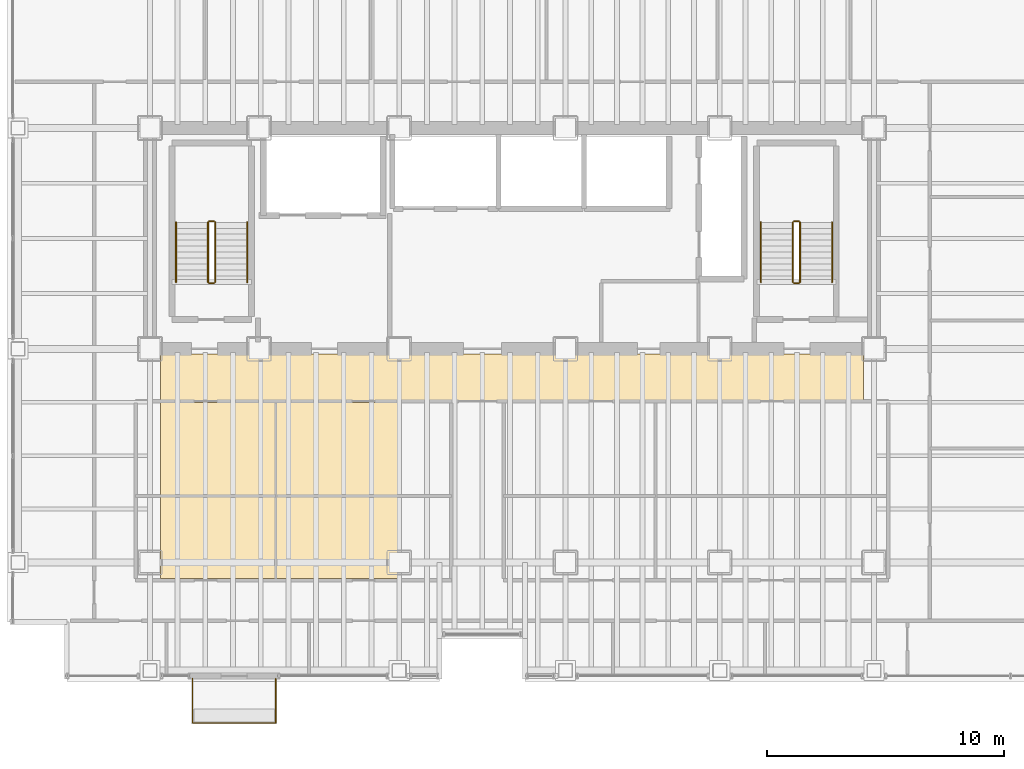
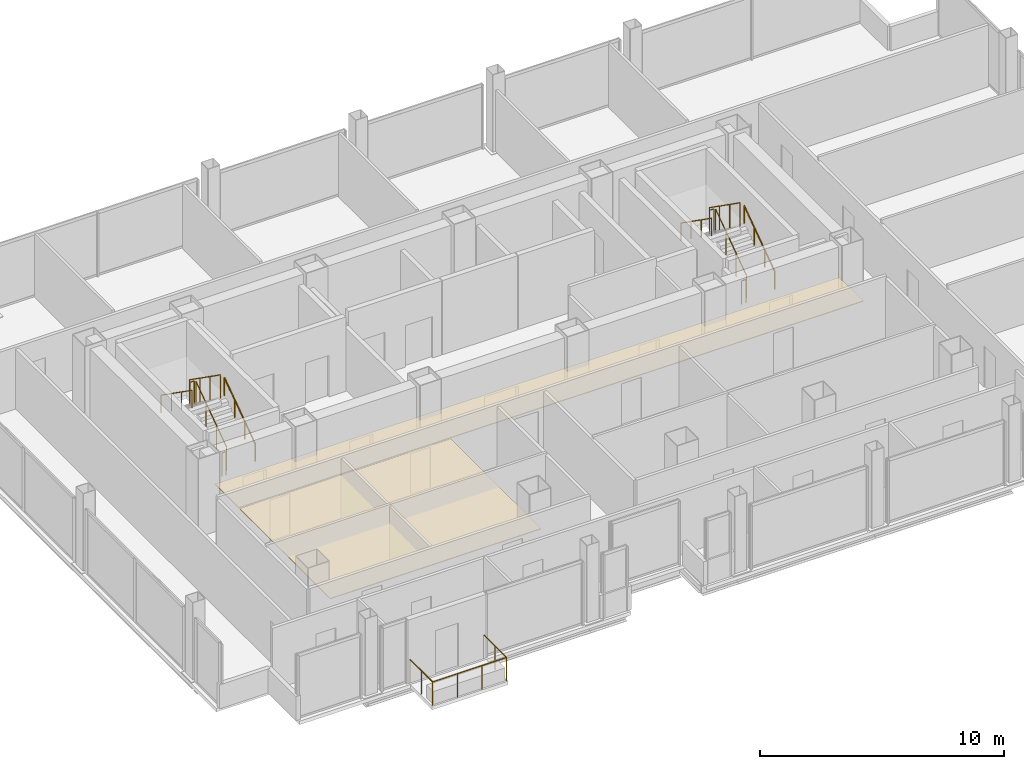
# One storey, part 20 of 20: 13 railings, 2 coverings.
"""IFC4 building model written with IfcOpenShell, lengths in metres."""

from ifc_helpers import new_model, si_unit, direction, frame, origin, origin_2d, place, context, subcontext, project, spatial, polyline, circle, outline, extrude, material, layer, layer_set, type_object, element, save


model = new_model("IFC4")

# Units and contexts
model_context = context("Model", 3, precision=1e-05, world=origin(), true_north=direction((0.0, 1.0)))
body_context = subcontext(model_context, "Body", "Model", "MODEL_VIEW")
ifc_project = project(units=[si_unit("LENGTHUNIT", "METRE"), si_unit("AREAUNIT", "SQUARE_METRE"), si_unit("VOLUMEUNIT", "CUBIC_METRE"), si_unit("PLANEANGLEUNIT", "RADIAN"), si_unit("MASSUNIT", "GRAM", prefix="KILO")], contexts=[model_context])

# Site, building, storey
site_placement = place(None, origin())
site = spatial("IfcSite", under=ifc_project, at=site_placement, CompositionType="ELEMENT")
building_placement = place(site_placement, origin())
building = spatial("IfcBuilding", under=site, at=building_placement, Name="Noeulbin Bourse Tower", CompositionType="ELEMENT")
storey_placement = place(building_placement, frame((0.0, 0.0, 73.300048828125)))
storey = spatial("IfcBuildingStorey", under=building, at=storey_placement, Name="L18", CompositionType="ELEMENT", Elevation=73.300048828125)

# Coverings
ifc_material_1 = material(Name="Perforated Mineral-Fibre Acoustic Tile")
ifc_layer_1 = layer(ifc_material_1, 0.0400390625)
ifc_layer_set_1 = layer_set([ifc_layer_1], Name="Perforated Mineral-Fibre Acoustic Tile")
covering_type = type_object("IfcCoveringType", Name="COV-CEIL-ACT", PredefinedType="CEILING", material=ifc_layer_set_1)
covering_1_placement = place(storey_placement, frame((0.0, 0.0, 2.10986328125)))
element("IfcCovering", 1, at=covering_1_placement, inside=storey, type_object=covering_type, Name="Corridor Suspended Ceiling L18", PredefinedType="CEILING", context=body_context, shape_type="SweptSolid", body=[
    extrude(outline(polyline([(13.949951171875, 26.820068359375), (43.550048828125, 26.820068359375), (43.550048828125, 28.780029296875), (13.949951171875, 28.780029296875), (13.949951171875, 26.820068359375)])), origin(), (0.0, 0.0, 1.0), 0.0400390625),
])
covering_2_placement = place(storey_placement, frame((0.0, 0.0, 2.10986328125)))
element("IfcCovering", 2, at=covering_2_placement, inside=storey, type_object=covering_type, Name="Trading Suite Acoustic Ceiling L18", PredefinedType="CEILING", context=body_context, shape_type="SweptSolid", body=[
    extrude(outline(polyline([(13.949951171875, 19.320068359375), (23.949951171875, 19.320068359375), (23.949951171875, 26.75), (13.949951171875, 26.75), (13.949951171875, 19.320068359375)])), origin(), (0.0, 0.0, 1.0), 0.0400390625),
])

# Railings
ifc_material_2 = material(Name="Laminated SentryGlas and Stainless Steel 316", Category="steel")
ifc_layer_2 = layer(ifc_material_2, 0.06005859375)
ifc_layer_set_2 = layer_set([ifc_layer_2], Name="Laminated SentryGlas and Stainless Steel 316")
railing_type_1 = type_object("IfcRailingType", Name="RLG-BAL-1200", PredefinedType="BALUSTRADE", material=ifc_layer_set_2)
railing_1_placement = place(storey_placement, frame((15.300048828125, 15.1201171875, 0.0)))
element("IfcRailing", 3, at=railing_1_placement, inside=storey, type_object=railing_type_1, Name="Tree-Balcony Glazed Balustrade L18", PredefinedType="BALUSTRADE", context=body_context, shape_type="SweptSolid", body=[
    extrude(circle(Radius=0.02392578125, at=origin_2d()), frame((0.0, 0.0, 1.17578125), z_axis=(0.0, -1.0, 0.0), x_axis=(1.0, 0.0, 0.0)), (0.0, 0.0, 1.0), 1.8701171875),
    extrude(circle(Radius=0.02392578125, at=origin_2d()), frame((0.0, -1.8701171875, 1.17578125), z_axis=(1.0, 0.0, 0.0), x_axis=(0.0, 1.0, 0.0)), (0.0, 0.0, 1.0), 3.5),
    extrude(circle(Radius=0.02392578125, at=origin_2d()), frame((3.5, -1.8701171875, 1.17578125), z_axis=(0.0, 1.0, 0.0), x_axis=(-1.0, 0.0, 0.0)), (0.0, 0.0, 1.0), 1.8701171875),
    extrude(circle(Radius=0.02099609375, at=origin_2d()), origin(), (0.0, 0.0, 1.0), 1.15185546875),
    extrude(circle(Radius=0.02099609375, at=origin_2d()), frame((0.0, -0.93505859375, 0.0)), (0.0, 0.0, 1.0), 1.15185546875),
    extrude(circle(Radius=0.02099609375, at=origin_2d()), frame((0.0, -1.8701171875, 0.0)), (0.0, 0.0, 1.0), 1.15185546875),
    extrude(circle(Radius=0.02099609375, at=origin_2d()), frame((1.166748046875, -1.8701171875, 0.0)), (0.0, 0.0, 1.0), 1.15185546875),
    extrude(circle(Radius=0.02099609375, at=origin_2d()), frame((2.333251953125, -1.8701171875, 0.0)), (0.0, 0.0, 1.0), 1.15185546875),
    extrude(circle(Radius=0.02099609375, at=origin_2d()), frame((3.5, -1.8701171875, 0.0)), (0.0, 0.0, 1.0), 1.15185546875),
    extrude(circle(Radius=0.02099609375, at=origin_2d()), frame((3.5, -0.93505859375, 0.0)), (0.0, 0.0, 1.0), 1.15185546875),
    extrude(circle(Radius=0.02099609375, at=origin_2d()), frame((3.5, 0.0, 0.0)), (0.0, 0.0, 1.0), 1.15185546875),
])
ifc_material_3 = material(Name="Painted Tubular Steel S355", Category="steel")
ifc_layer_3 = layer(ifc_material_3, 0.048095703125)
ifc_layer_set_3 = layer_set([ifc_layer_3], Name="Painted Tubular Steel S355")
railing_type_2 = type_object("IfcRailingType", Name="RLG-STR-GRD", PredefinedType="GUARDRAIL", material=ifc_layer_set_3)
railing_2_placement = place(storey_placement, frame((16.25, 31.81005859375, 0.17724609375)))
element("IfcRailing", 4, at=railing_2_placement, inside=storey, type_object=railing_type_2, Name="L18 ST-1 stair guard 1", PredefinedType="GUARDRAIL", context=body_context, shape_type="SweptSolid", body=[
    extrude(circle(Radius=0.02392578125, at=origin_2d()), frame((0.0, 0.0, 1.17578125), z_axis=(0.0, 0.817904474719, 0.575354039036), x_axis=(-1.0, 0.0, 0.0)), (0.0, 0.0, 1.0), 3.0810546875),
    extrude(circle(Radius=0.02099609375, at=origin_2d()), origin(), (0.0, 0.0, 1.0), 1.15185546875),
    extrude(circle(Radius=0.02099609375, at=origin_2d()), frame((0.0, 0.840087890625, 0.5908203125)), (0.0, 0.0, 1.0), 1.15185546875),
    extrude(circle(Radius=0.02099609375, at=origin_2d()), frame((0.0, 1.679931640625, 1.181884765625)), (0.0, 0.0, 1.0), 1.15185546875),
    extrude(circle(Radius=0.02099609375, at=origin_2d()), frame((0.0, 2.52001953125, 1.772705078125)), (0.0, 0.0, 1.0), 1.15185546875),
])
railing_3_placement = place(storey_placement, frame((16.199951171875, 34.3798828125, 1.949951171875)))
element("IfcRailing", 5, at=railing_3_placement, inside=storey, type_object=railing_type_2, Name="L18 ST-1 stair guard 2", PredefinedType="GUARDRAIL", context=body_context, shape_type="SweptSolid", body=[
    extrude(circle(Radius=0.02392578125, at=origin_2d()), frame((0.0, 0.0, 1.17578125), z_axis=(-1.0, 0.0, 0.0), x_axis=(0.0, -1.0, 0.0)), (0.0, 0.0, 1.0), 0.199951171875),
    extrude(circle(Radius=0.02099609375, at=origin_2d()), origin(), (0.0, 0.0, 1.0), 1.15185546875),
    extrude(circle(Radius=0.02099609375, at=origin_2d()), frame((-0.199951171875, 0.0, 0.0)), (0.0, 0.0, 1.0), 1.15185546875),
])
railing_4_placement = place(storey_placement, frame((15.949951171875, 34.330078125, 2.127197265625)))
element("IfcRailing", 6, at=railing_4_placement, inside=storey, type_object=railing_type_2, Name="L18 ST-1 stair guard 3", PredefinedType="GUARDRAIL", context=body_context, shape_type="SweptSolid", body=[
    extrude(circle(Radius=0.02392578125, at=origin_2d()), frame((0.0, 0.0, 1.17578125), z_axis=(0.0, -0.817904474719, 0.575354039036), x_axis=(1.0, 0.0, 0.0)), (0.0, 0.0, 1.0), 3.0810546875),
    extrude(circle(Radius=0.02099609375, at=origin_2d()), origin(), (0.0, 0.0, 1.0), 1.15185546875),
    extrude(circle(Radius=0.02099609375, at=origin_2d()), frame((0.0, -0.840087890625, 0.5908203125)), (0.0, 0.0, 1.0), 1.15185546875),
    extrude(circle(Radius=0.02099609375, at=origin_2d()), frame((0.0, -1.679931640625, 1.181884765625)), (0.0, 0.0, 1.0), 1.15185546875),
    extrude(circle(Radius=0.02099609375, at=origin_2d()), frame((0.0, -2.52001953125, 1.772705078125)), (0.0, 0.0, 1.0), 1.15185546875),
])
railing_5_placement = place(storey_placement, frame((16.199951171875, 31.760009765625, 0.0)))
element("IfcRailing", 7, at=railing_5_placement, inside=storey, type_object=railing_type_2, Name="L18 ST-1 stair guard 4", PredefinedType="GUARDRAIL", context=body_context, shape_type="SweptSolid", body=[
    extrude(circle(Radius=0.02392578125, at=origin_2d()), frame((0.0, 0.0, 1.17578125), z_axis=(-1.0, 0.0, 0.0), x_axis=(0.0, -1.0, 0.0)), (0.0, 0.0, 1.0), 0.199951171875),
    extrude(circle(Radius=0.02099609375, at=origin_2d()), origin(), (0.0, 0.0, 1.0), 1.15185546875),
    extrude(circle(Radius=0.02099609375, at=origin_2d()), frame((-0.199951171875, 0.0, 0.0)), (0.0, 0.0, 1.0), 1.15185546875),
])
railing_6_placement = place(storey_placement, frame((40.8798828125, 31.81005859375, 0.17724609375)))
element("IfcRailing", 8, at=railing_6_placement, inside=storey, type_object=railing_type_2, Name="L18 ST-2 stair guard 1", PredefinedType="GUARDRAIL", context=body_context, shape_type="SweptSolid", body=[
    extrude(circle(Radius=0.02392578125, at=origin_2d()), frame((0.0, 0.0, 1.17578125), z_axis=(0.0, 0.817904474719, 0.575354039036), x_axis=(-1.0, 0.0, 0.0)), (0.0, 0.0, 1.0), 3.0810546875),
    extrude(circle(Radius=0.02099609375, at=origin_2d()), origin(), (0.0, 0.0, 1.0), 1.15185546875),
    extrude(circle(Radius=0.02099609375, at=origin_2d()), frame((0.0, 0.840087890625, 0.5908203125)), (0.0, 0.0, 1.0), 1.15185546875),
    extrude(circle(Radius=0.02099609375, at=origin_2d()), frame((0.0, 1.679931640625, 1.181884765625)), (0.0, 0.0, 1.0), 1.15185546875),
    extrude(circle(Radius=0.02099609375, at=origin_2d()), frame((0.0, 2.52001953125, 1.772705078125)), (0.0, 0.0, 1.0), 1.15185546875),
])
railing_7_placement = place(storey_placement, frame((40.830078125, 34.3798828125, 1.949951171875)))
element("IfcRailing", 9, at=railing_7_placement, inside=storey, type_object=railing_type_2, Name="L18 ST-2 stair guard 2", PredefinedType="GUARDRAIL", context=body_context, shape_type="SweptSolid", body=[
    extrude(circle(Radius=0.02392578125, at=origin_2d()), frame((0.0, 0.0, 1.17578125), z_axis=(-1.0, 0.0, 0.0), x_axis=(0.0, -1.0, 0.0)), (0.0, 0.0, 1.0), 0.2001953125),
    extrude(circle(Radius=0.02099609375, at=origin_2d()), origin(), (0.0, 0.0, 1.0), 1.15185546875),
    extrude(circle(Radius=0.02099609375, at=origin_2d()), frame((-0.2001953125, 0.0, 0.0)), (0.0, 0.0, 1.0), 1.15185546875),
])
railing_8_placement = place(storey_placement, frame((40.580078125, 34.330078125, 2.127197265625)))
element("IfcRailing", 10, at=railing_8_placement, inside=storey, type_object=railing_type_2, Name="L18 ST-2 stair guard 3", PredefinedType="GUARDRAIL", context=body_context, shape_type="SweptSolid", body=[
    extrude(circle(Radius=0.02392578125, at=origin_2d()), frame((0.0, 0.0, 1.17578125), z_axis=(0.0, -0.817904474719, 0.575354039036), x_axis=(1.0, 0.0, 0.0)), (0.0, 0.0, 1.0), 3.0810546875),
    extrude(circle(Radius=0.02099609375, at=origin_2d()), origin(), (0.0, 0.0, 1.0), 1.15185546875),
    extrude(circle(Radius=0.02099609375, at=origin_2d()), frame((0.0, -0.840087890625, 0.5908203125)), (0.0, 0.0, 1.0), 1.15185546875),
    extrude(circle(Radius=0.02099609375, at=origin_2d()), frame((0.0, -1.679931640625, 1.181884765625)), (0.0, 0.0, 1.0), 1.15185546875),
    extrude(circle(Radius=0.02099609375, at=origin_2d()), frame((0.0, -2.52001953125, 1.772705078125)), (0.0, 0.0, 1.0), 1.15185546875),
])
railing_9_placement = place(storey_placement, frame((40.830078125, 31.760009765625, 0.0)))
element("IfcRailing", 11, at=railing_9_placement, inside=storey, type_object=railing_type_2, Name="L18 ST-2 stair guard 4", PredefinedType="GUARDRAIL", context=body_context, shape_type="SweptSolid", body=[
    extrude(circle(Radius=0.02392578125, at=origin_2d()), frame((0.0, 0.0, 1.17578125), z_axis=(-1.0, 0.0, 0.0), x_axis=(0.0, -1.0, 0.0)), (0.0, 0.0, 1.0), 0.2001953125),
    extrude(circle(Radius=0.02099609375, at=origin_2d()), origin(), (0.0, 0.0, 1.0), 1.15185546875),
    extrude(circle(Radius=0.02099609375, at=origin_2d()), frame((-0.2001953125, 0.0, 0.0)), (0.0, 0.0, 1.0), 1.15185546875),
])
ifc_material_4 = material(Name="Brushed Stainless Steel 316", Category="steel")
ifc_layer_4 = layer(ifc_material_4, 0.048095703125)
ifc_layer_set_4 = layer_set([ifc_layer_4], Name="Brushed Stainless Steel 316")
railing_type_3 = type_object("IfcRailingType", Name="RLG-STR-HND", PredefinedType="HANDRAIL", material=ifc_layer_set_4)
railing_10_placement = place(storey_placement, frame((17.60009765625, 31.81005859375, 0.17724609375)))
element("IfcRailing", 12, at=railing_10_placement, inside=storey, type_object=railing_type_3, Name="L18 ST-1 stair handrail 1", PredefinedType="HANDRAIL", context=body_context, shape_type="SweptSolid", body=[
    extrude(circle(Radius=0.02392578125, at=origin_2d()), frame((0.0, 0.0, 0.8759765625), z_axis=(0.0, 0.817904474719, 0.575354039036), x_axis=(-1.0, 0.0, 0.0)), (0.0, 0.0, 1.0), 3.0810546875),
    extrude(circle(Radius=0.02099609375, at=origin_2d()), origin(), (0.0, 0.0, 1.0), 0.851806640625),
    extrude(circle(Radius=0.02099609375, at=origin_2d()), frame((0.0, 0.840087890625, 0.5908203125)), (0.0, 0.0, 1.0), 0.851806640625),
    extrude(circle(Radius=0.02099609375, at=origin_2d()), frame((0.0, 1.679931640625, 1.181884765625)), (0.0, 0.0, 1.0), 0.851806640625),
    extrude(circle(Radius=0.02099609375, at=origin_2d()), frame((0.0, 2.52001953125, 1.772705078125)), (0.0, 0.0, 1.0), 0.851806640625),
])
railing_11_placement = place(storey_placement, frame((14.60009765625, 34.330078125, 2.127197265625)))
element("IfcRailing", 13, at=railing_11_placement, inside=storey, type_object=railing_type_3, Name="L18 ST-1 stair handrail 2", PredefinedType="HANDRAIL", context=body_context, shape_type="SweptSolid", body=[
    extrude(circle(Radius=0.02392578125, at=origin_2d()), frame((0.0, 0.0, 0.8759765625), z_axis=(0.0, -0.817904474719, 0.575354039036), x_axis=(1.0, 0.0, 0.0)), (0.0, 0.0, 1.0), 3.0810546875),
    extrude(circle(Radius=0.02099609375, at=origin_2d()), origin(), (0.0, 0.0, 1.0), 0.851806640625),
    extrude(circle(Radius=0.02099609375, at=origin_2d()), frame((0.0, -0.840087890625, 0.5908203125)), (0.0, 0.0, 1.0), 0.851806640625),
    extrude(circle(Radius=0.02099609375, at=origin_2d()), frame((0.0, -1.679931640625, 1.181884765625)), (0.0, 0.0, 1.0), 0.851806640625),
    extrude(circle(Radius=0.02099609375, at=origin_2d()), frame((0.0, -2.52001953125, 1.772705078125)), (0.0, 0.0, 1.0), 0.851806640625),
])
railing_12_placement = place(storey_placement, frame((42.22998046875, 31.81005859375, 0.17724609375)))
element("IfcRailing", 14, at=railing_12_placement, inside=storey, type_object=railing_type_3, Name="L18 ST-2 stair handrail 1", PredefinedType="HANDRAIL", context=body_context, shape_type="SweptSolid", body=[
    extrude(circle(Radius=0.02392578125, at=origin_2d()), frame((0.0, 0.0, 0.8759765625), z_axis=(0.0, 0.817904474719, 0.575354039036), x_axis=(-1.0, 0.0, 0.0)), (0.0, 0.0, 1.0), 3.0810546875),
    extrude(circle(Radius=0.02099609375, at=origin_2d()), origin(), (0.0, 0.0, 1.0), 0.851806640625),
    extrude(circle(Radius=0.02099609375, at=origin_2d()), frame((0.0, 0.840087890625, 0.5908203125)), (0.0, 0.0, 1.0), 0.851806640625),
    extrude(circle(Radius=0.02099609375, at=origin_2d()), frame((0.0, 1.679931640625, 1.181884765625)), (0.0, 0.0, 1.0), 0.851806640625),
    extrude(circle(Radius=0.02099609375, at=origin_2d()), frame((0.0, 2.52001953125, 1.772705078125)), (0.0, 0.0, 1.0), 0.851806640625),
])
railing_13_placement = place(storey_placement, frame((39.22998046875, 34.330078125, 2.127197265625)))
element("IfcRailing", 15, at=railing_13_placement, inside=storey, type_object=railing_type_3, Name="L18 ST-2 stair handrail 2", PredefinedType="HANDRAIL", context=body_context, shape_type="SweptSolid", body=[
    extrude(circle(Radius=0.02392578125, at=origin_2d()), frame((0.0, 0.0, 0.8759765625), z_axis=(0.0, -0.817904474719, 0.575354039036), x_axis=(1.0, 0.0, 0.0)), (0.0, 0.0, 1.0), 3.0810546875),
    extrude(circle(Radius=0.02099609375, at=origin_2d()), origin(), (0.0, 0.0, 1.0), 0.851806640625),
    extrude(circle(Radius=0.02099609375, at=origin_2d()), frame((0.0, -0.840087890625, 0.5908203125)), (0.0, 0.0, 1.0), 0.851806640625),
    extrude(circle(Radius=0.02099609375, at=origin_2d()), frame((0.0, -1.679931640625, 1.181884765625)), (0.0, 0.0, 1.0), 0.851806640625),
    extrude(circle(Radius=0.02099609375, at=origin_2d()), frame((0.0, -2.52001953125, 1.772705078125)), (0.0, 0.0, 1.0), 0.851806640625),
])

save(model, "model.ifc")
